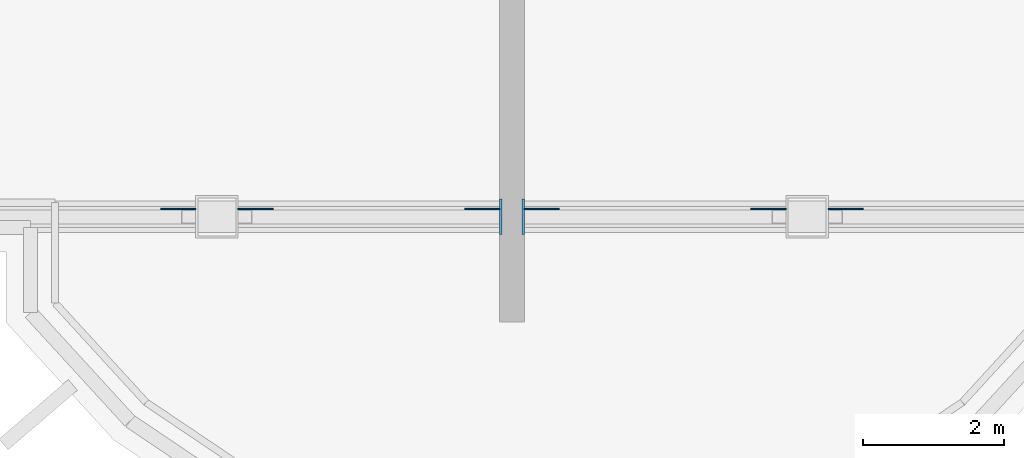
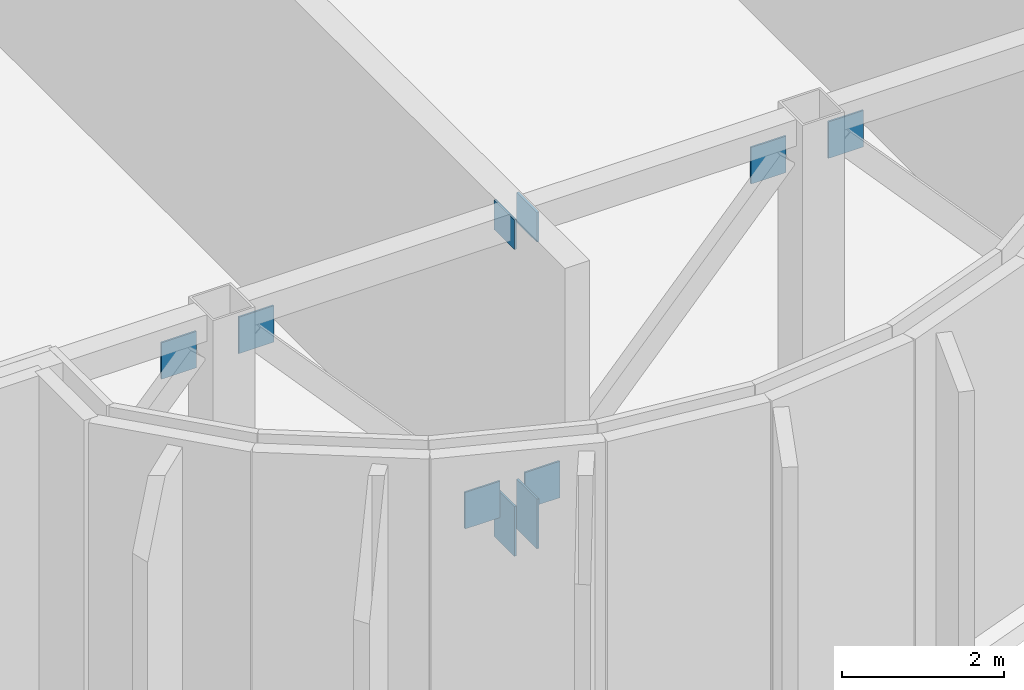
# One storey, part 11 of 17: 10 discrete accessories.
"""IFC4 building model written with IfcOpenShell, lengths in metres."""

from ifc_helpers import new_model, si_unit, direction, frame, origin, origin_2d, place, context, subcontext, project, spatial, rectangle, extrude, source, transform, mapped, material, layer, layer_set, type_object, element, save


model = new_model("IFC4")

# Units and contexts
model_context = context("Model", 3, precision=1e-05, world=origin(), true_north=direction((0.0, 1.0)))
body_context = subcontext(model_context, "Body", "Model", "MODEL_VIEW")
ifc_project = project(units=[si_unit("LENGTHUNIT", "METRE"), si_unit("AREAUNIT", "SQUARE_METRE"), si_unit("VOLUMEUNIT", "CUBIC_METRE"), si_unit("PLANEANGLEUNIT", "RADIAN"), si_unit("MASSUNIT", "GRAM", prefix="KILO")], contexts=[model_context])

# Site, building, storey
site_placement = place(None, origin())
site = spatial("IfcSite", under=ifc_project, at=site_placement, CompositionType="ELEMENT")
building_placement = place(site_placement, origin())
building = spatial("IfcBuilding", under=site, at=building_placement, Name="Vanashikhar Sky Hotel", CompositionType="ELEMENT")
storey_placement = place(building_placement, frame((0.0, 0.0, 140.800048828125)))
storey = spatial("IfcBuildingStorey", under=building, at=storey_placement, Name="L34", CompositionType="ELEMENT", Elevation=140.800048828125)

# Discrete accessories
ifc_material = material(Name="Steel S355", Category="steel")
ifc_layer_1 = layer(ifc_material, 0.030029296875)
ifc_layer_set_1 = layer_set([ifc_layer_1], Name="Cast-in anchor plate 500x750x30")
discrete_accessory_type_1 = type_object("IfcDiscreteAccessoryType", Name="Cast-in anchor plate 500x750x30", PredefinedType="ANCHORPLATE", material=ifc_layer_set_1)
shared_shape_1 = source(origin(), body_context, "Body", "SweptSolid", [
    extrude(rectangle(XDim=0.030029296875, YDim=0.5, at=origin_2d()), origin(), (0.0, 0.0, 1.0), 0.75),
])
for number, where, z_axis, x_axis, name in (
    (1, (58.639892578125, 7.0, 0.02490234375), (0.0, 0.0, 1.0), (1.0, 0.0, 0.0), "EP-L34-F06BB"),
    (2, (58.9599609375, 7.0, 0.02490234375), (0.0, 0.0, 1.0), (1.0, 0.0, 0.0), "EP-L34-F07AB"),
):
    element("IfcDiscreteAccessory", number, at=place(storey_placement, frame(where, z_axis=z_axis, x_axis=x_axis)), inside=storey, type_object=discrete_accessory_type_1, Name=name, PredefinedType="ANCHORPLATE", context=body_context, shape_type="MappedRepresentation", body=[
        mapped(shared_shape_1, transform((0.0, 0.0, 0.0), scale=1.0)),
    ])
ifc_layer_2 = layer(ifc_material, 0.030029296875)
ifc_layer_set_2 = layer_set([ifc_layer_2], Name="Cast-in anchor plate 500x450x30")
discrete_accessory_type_2 = type_object("IfcDiscreteAccessoryType", Name="Cast-in anchor plate 500x450x30", PredefinedType="ANCHORPLATE", material=ifc_layer_set_2)
shared_shape_2 = source(origin(), body_context, "Body", "SweptSolid", [
    extrude(rectangle(XDim=0.030029296875, YDim=0.5, at=origin_2d()), origin(), (0.0, 0.0, 1.0), 0.449951171875),
])
for number, where, z_axis, x_axis, name in (
    (3, (58.639892578125, 7.0, 4.64501953125), (0.0, 0.0, 1.0), (1.0, 0.0, 0.0), "EP-L34-F06BT"),
    (4, (58.9599609375, 7.0, 4.64501953125), (0.0, 0.0, 1.0), (1.0, 0.0, 0.0), "EP-L34-F07AT"),
):
    element("IfcDiscreteAccessory", number, at=place(storey_placement, frame(where, z_axis=z_axis, x_axis=x_axis)), inside=storey, type_object=discrete_accessory_type_2, Name=name, PredefinedType="ANCHORPLATE", context=body_context, shape_type="MappedRepresentation", body=[
        mapped(shared_shape_2, transform((0.0, 0.0, 0.0), scale=1.0)),
    ])
ifc_layer_3 = layer(ifc_material, 0.02490234375)
ifc_layer_set_3 = layer_set([ifc_layer_3], Name="Truss gusset plate 500x550x25")
discrete_accessory_type_3 = type_object("IfcDiscreteAccessoryType", Name="Truss gusset plate 500x550x25", PredefinedType="BRACKET", material=ifc_layer_set_3)
shared_shape_3 = source(origin(), body_context, "Body", "SweptSolid", [
    extrude(rectangle(XDim=0.5, YDim=0.02490234375, at=origin_2d()), origin(), (0.0, 0.0, 1.0), 0.550048828125),
])
for number, where, z_axis, x_axis, name in (
    (5, (54.050048828125, 7.112548828125, 4.169921875), (0.0, 0.0, 1.0), (1.0, 0.0, 0.0), "GS-L34-F06LB"),
    (6, (58.375, 7.112548828125, 0.39990234375), (0.0, 0.0, 1.0), (1.0, 0.0, 0.0), "GS-L34-F06RA"),
    (7, (55.14990234375, 7.112548828125, 4.169921875), (0.0, 0.0, 1.0), (1.0, 0.0, 0.0), "GS-L34-F06RB"),
    (8, (59.22509765625, 7.112548828125, 0.39990234375), (0.0, 0.0, 1.0), (1.0, 0.0, 0.0), "GS-L34-F07LA"),
    (9, (62.449951171875, 7.112548828125, 4.169921875), (0.0, 0.0, 1.0), (1.0, 0.0, 0.0), "GS-L34-F07LB"),
    (10, (63.550048828125, 7.112548828125, 4.169921875), (0.0, 0.0, 1.0), (1.0, 0.0, 0.0), "GS-L34-F07RB"),
):
    element("IfcDiscreteAccessory", number, at=place(storey_placement, frame(where, z_axis=z_axis, x_axis=x_axis)), inside=storey, type_object=discrete_accessory_type_3, Name=name, PredefinedType="BRACKET", context=body_context, shape_type="MappedRepresentation", body=[
        mapped(shared_shape_3, transform((0.0, 0.0, 0.0), scale=1.0)),
    ])

save(model, "model.ifc")
